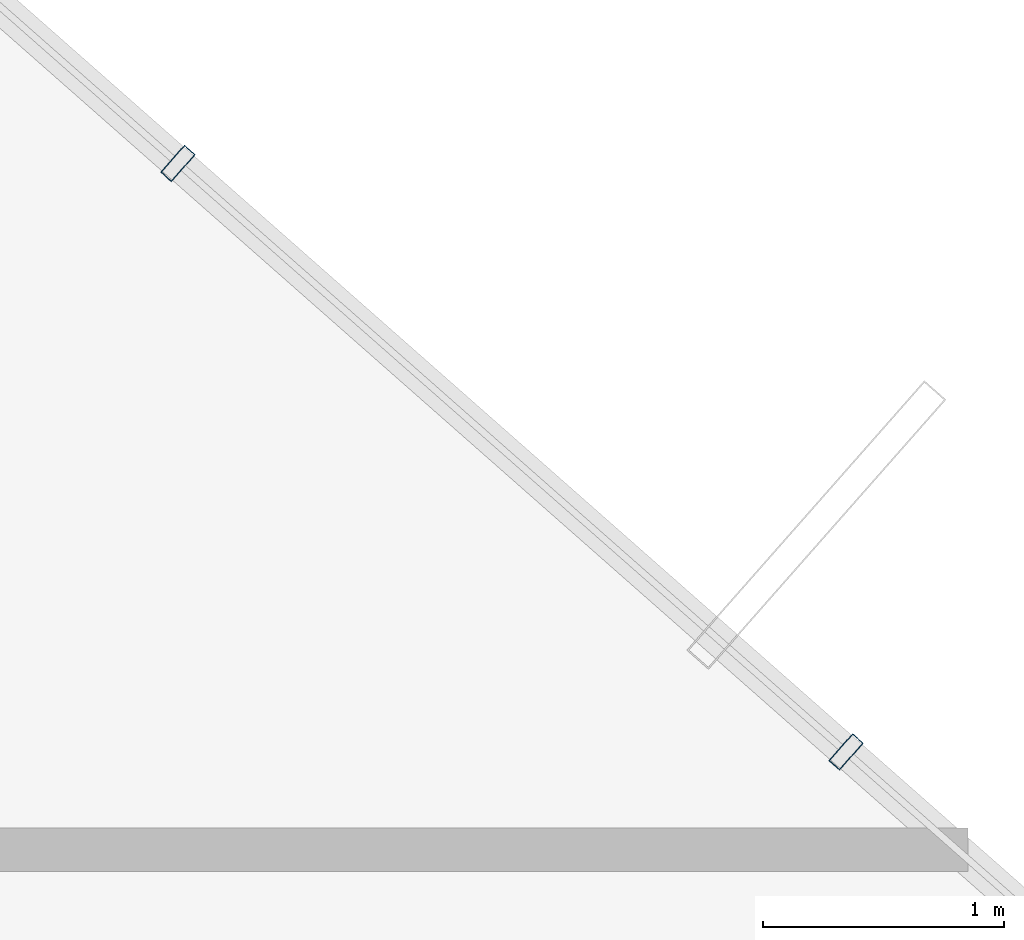
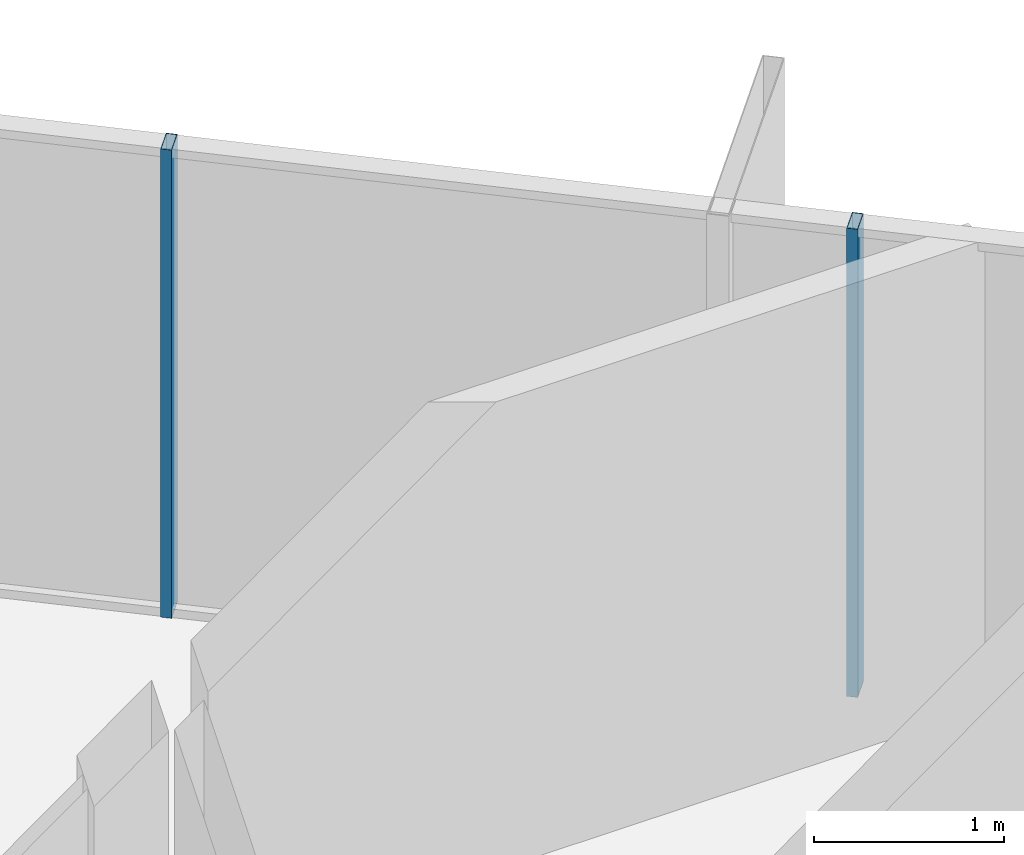
# One storey, part 15 of 28: 2 members, 1 element without a shape of its own.
"""IFC4 building model written with IfcOpenShell, lengths in metres."""

from ifc_helpers import new_model, si_unit, direction, frame, origin, origin_2d, place, context, subcontext, project, spatial, hollow_rectangle, extrude, source, transform, mapped, material, layer, layer_set, material_profile, profile_set, type_object, element, aggregate, save


model = new_model("IFC4")

# Units and contexts
model_context = context("Model", 3, precision=1e-05, world=origin(), true_north=direction((0.0, 1.0)))
body_context = subcontext(model_context, "Body", "Model", "MODEL_VIEW")
ifc_project = project(units=[si_unit("LENGTHUNIT", "METRE"), si_unit("AREAUNIT", "SQUARE_METRE"), si_unit("VOLUMEUNIT", "CUBIC_METRE"), si_unit("PLANEANGLEUNIT", "RADIAN"), si_unit("MASSUNIT", "GRAM", prefix="KILO")], contexts=[model_context])

# Site, building, storey
site_placement = place(None, origin())
site = spatial("IfcSite", under=ifc_project, at=site_placement, CompositionType="ELEMENT")
building_placement = place(site_placement, origin())
building = spatial("IfcBuilding", under=site, at=building_placement, Name="Veraguas Prism Commons", CompositionType="ELEMENT")
storey_placement = place(building_placement, frame((0.0, 0.0, 248.0)))
storey = spatial("IfcBuildingStorey", under=building, at=storey_placement, Name="L70", CompositionType="ELEMENT", Elevation=248.0)

# Curtain wall, members
ifc_material = material(Name="Anodised aluminium EN AW-6063 T6", Category="aluminium")
ifc_layer = layer(ifc_material, 0.14990234375, Name="Unitised Flush Curtain Wall Zone 4", Category="aluminium")
ifc_layer_set = layer_set([ifc_layer], Name="Anodised aluminium EN AW-6063 T6")
curtain_wall_type = type_object("IfcCurtainWallType", Name="Unitised Flush Curtain Wall Zone 4", PredefinedType="NOTDEFINED", material=ifc_layer_set)
curtain_wall_placement = place(storey_placement, origin())
curtain_wall = element("IfcCurtainWall", 1, at=curtain_wall_placement, inside=storey, type_object=curtain_wall_type, Name="Tower Facade Curtain Wall L70-F1", PredefinedType="NOTDEFINED")
ifc_material_profile = material_profile(ifc_material, hollow_rectangle(XDim=0.06005859375, YDim=0.14990234375, WallThickness=0.0029296875, at=origin_2d()), Name="AL60X150X3")
ifc_profile_set = profile_set([ifc_material_profile], Name="Anodised aluminium EN AW-6063 T6")
member_type = type_object("IfcMemberType", Name="Curtain Wall Mullion Upper AL 60x150x3", PredefinedType="MULLION", material=ifc_profile_set)
shared_shape = source(origin(), body_context, "Body", "SweptSolid", [
    extrude(hollow_rectangle(XDim=0.06005859375, YDim=0.14990234375, WallThickness=0.0029296875, at=origin_2d()), origin(), (0.0, 0.0, 1.0), 3.014892578125),
])
member_1_placement = place(storey_placement, frame((37.647216796875, 33.90625, 0.0), z_axis=(0.0, 0.0, 1.0), x_axis=(-0.750347634036, 0.661043438888, 0.0)))
member_1 = element("IfcMember", 2, at=member_1_placement, type_object=member_type, Name="CW-Z4 Mullion 2", PredefinedType="MULLION", context=body_context, shape_type="MappedRepresentation", body=[
    mapped(shared_shape, transform((0.0, 0.0, 0.0), scale=1.0)),
])
member_2_placement = place(storey_placement, frame((34.877197265625, 36.346435546875, 0.0), z_axis=(0.0, 0.0, 1.0), x_axis=(-0.750347634036, 0.661043438888, 0.0)))
member_2 = element("IfcMember", 3, at=member_2_placement, type_object=member_type, Name="CW-Z4 Mullion 3", PredefinedType="MULLION", context=body_context, shape_type="MappedRepresentation", body=[
    mapped(shared_shape, transform((0.0, 0.0, 0.0), scale=1.0)),
])
aggregate(curtain_wall, [member_1, member_2])

save(model, "model.ifc")
